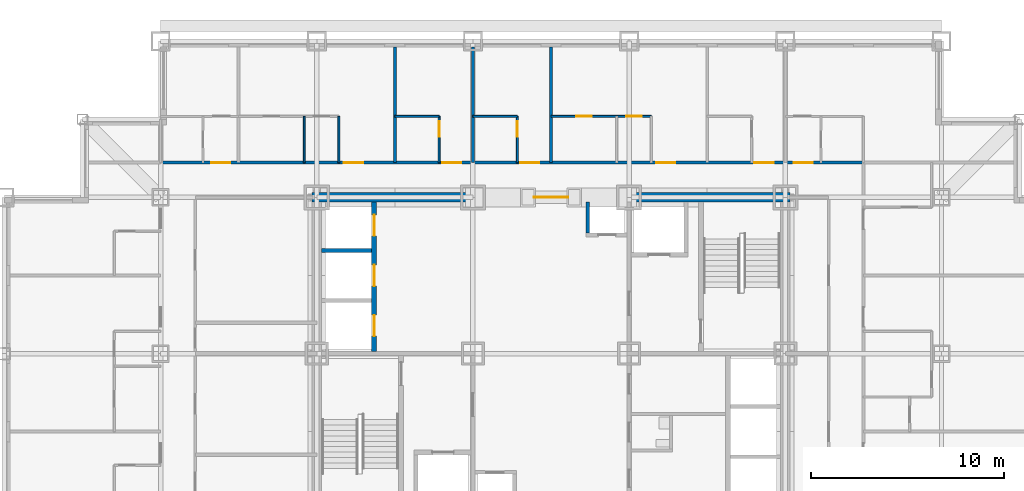
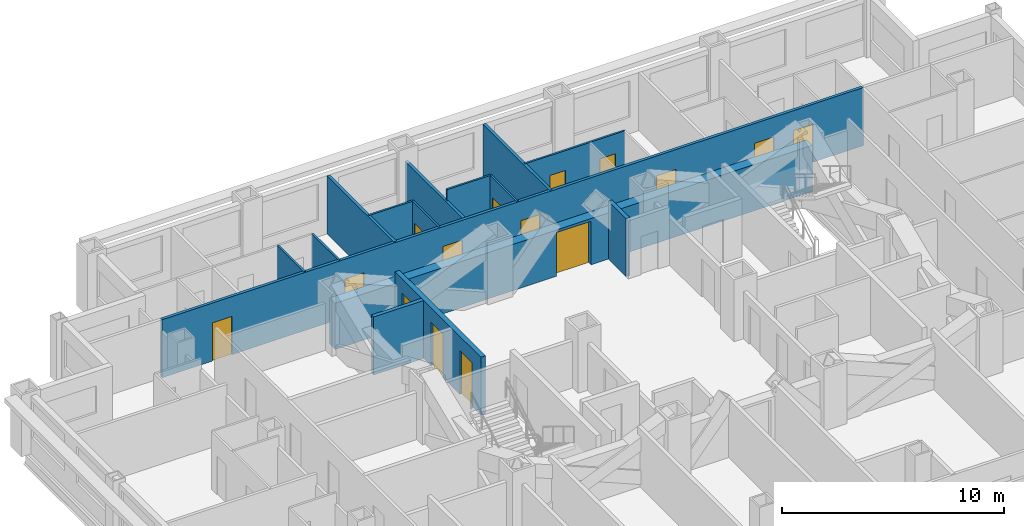
# One storey, part 9 of 13: 15 doors, 15 walls, 15 openings.
"""IFC4 building model written with IfcOpenShell, lengths in metres."""

from ifc_helpers import new_model, si_unit, direction, frame, frame_2d, origin, place, context, subcontext, project, spatial, rectangle, extrude, material, layer, layer_set, type_object, element, fill, save


model = new_model("IFC4")

# Units and contexts
model_context = context("Model", 3, precision=1e-05, world=origin(), true_north=direction((0.0, 1.0)))
body_context = subcontext(model_context, "Body", "Model", "MODEL_VIEW")
ifc_project = project(units=[si_unit("LENGTHUNIT", "METRE"), si_unit("AREAUNIT", "SQUARE_METRE"), si_unit("VOLUMEUNIT", "CUBIC_METRE"), si_unit("PLANEANGLEUNIT", "RADIAN"), si_unit("MASSUNIT", "GRAM", prefix="KILO")], contexts=[model_context])

# Site, building, storey
site_placement = place(None, origin())
site = spatial("IfcSite", under=ifc_project, at=site_placement, CompositionType="ELEMENT")
building_placement = place(site_placement, origin())
building = spatial("IfcBuilding", under=site, at=building_placement, Name="Kopane Lantern Tower", CompositionType="ELEMENT")
storey_placement = place(building_placement, frame((0.0, 0.0, 63.60009765625)))
storey = spatial("IfcBuildingStorey", under=building, at=storey_placement, Name="L15", CompositionType="ELEMENT", Elevation=63.60009765625)

# Walls
ifc_material_1 = material(Name="Moisture-resistant board on steel studs", Category="steel")
ifc_layer_1 = layer(ifc_material_1, 0.10009765625)
ifc_layer_set_1 = layer_set([ifc_layer_1], Name="BATHROOM WALL 100")
wall_type_1 = type_object("IfcWallType", Name="BATHROOM WALL 100", PredefinedType="PARTITIONING", material=ifc_layer_set_1)
for number, where, z_axis, x_axis, name in (
    (1, (15.550048828125, 42.300048828125, 0.0), (0.0, 0.0, 1.0), (0.0, 1.0, 0.0), "Bathroom Wall 100 L15"),
    (2, (17.35009765625, 42.300048828125, 0.0), (0.0, 0.0, 1.0), (0.0, 1.0, 0.0), "Bathroom Wall 100 L15"),
):
    element("IfcWall", number, at=place(storey_placement, frame(where, z_axis=z_axis, x_axis=x_axis)), inside=storey, type_object=wall_type_1, Name=name, PredefinedType="PARTITIONING", context=body_context, shape_type="SweptSolid", body=[
        extrude(rectangle(XDim=2.39990234375, YDim=0.10009765625, at=frame_2d((1.199951171875, 0.0))), origin(), (0.0, 0.0, 1.0), 3.18994140625),
    ])
wall_1_placement = place(storey_placement, frame((20.25, 44.699951171875, 0.0), z_axis=(0.0, 0.0, 1.0), x_axis=(1.0, 0.0, 0.0)))
element("IfcWall", 3, at=wall_1_placement, inside=storey, type_object=wall_type_1, Name="Bathroom Wall 100 L15", PredefinedType="PARTITIONING", context=body_context, shape_type="SweptSolid", body=[
    extrude(rectangle(XDim=2.300048828125, YDim=0.10009765625, at=frame_2d((1.14990234375, 0.0))), origin(), (0.0, 0.0, 1.0), 3.18994140625),
])

# Wall, opening, door
wall_2_placement = place(storey_placement, frame((22.550048828125, 42.300048828125, 0.0), z_axis=(0.0, 0.0, 1.0), x_axis=(0.0, 1.0, 0.0)))
wall_2 = element("IfcWall", 4, at=wall_2_placement, inside=storey, type_object=wall_type_1, Name="Bathroom Wall 100 L15", PredefinedType="PARTITIONING", context=body_context, shape_type="SweptSolid", body=[
    extrude(rectangle(XDim=2.39990234375, YDim=0.10009765625, at=frame_2d((1.199951171875, 0.0))), origin(), (0.0, 0.0, 1.0), 3.18994140625),
])
opening_1_placement = place(wall_2_placement, frame((1.35009765625, 0.0, 0.0)))
opening_1 = element("IfcOpeningElement", 5, at=opening_1_placement, cuts=wall_2, Name="Opening L15-032", PredefinedType="OPENING", context=body_context, shape_type="SweptSolid", body=[
    extrude(rectangle(XDim=0.800048828125, YDim=2.10009765625, at=frame_2d((0.39990234375, 1.050048828125))), frame((0.0, 0.06005859375, 0.0), z_axis=(0.0, -1.0, 0.0), x_axis=(1.0, 0.0, 0.0)), (0.0, 0.0, 1.0), 0.1201171875),
])
ifc_material_2 = material(Name="Timber door set", Category="wood")
door_type_1 = type_object("IfcDoorType", Name="DOOR D2 800x2100", OperationType="SINGLE_SWING_LEFT", PredefinedType="DOOR", material=ifc_material_2)
door_1_placement = place(opening_1_placement, origin())
door_1 = element("IfcDoor", 6, at=door_1_placement, inside=storey, type_object=door_type_1, Name="Door L15-032", OperationType="SINGLE_SWING_RIGHT", OverallHeight=2.10009765625, OverallWidth=0.800048828125, PredefinedType="DOOR", context=body_context, shape_type="SweptSolid", body=[
    extrude(rectangle(XDim=0.800048828125, YDim=2.10009765625, at=frame_2d((0.39990234375, 1.050048828125))), frame((0.0, 0.02490234375, 0.0), z_axis=(0.0, -1.0, 0.0), x_axis=(1.0, 0.0, 0.0)), (0.0, 0.0, 1.0), 0.050048828125),
])
fill(opening_1, door_1)

# Wall
wall_3_placement = place(storey_placement, frame((24.300048828125, 44.699951171875, 0.0), z_axis=(0.0, 0.0, 1.0), x_axis=(1.0, 0.0, 0.0)))
element("IfcWall", 7, at=wall_3_placement, inside=storey, type_object=wall_type_1, Name="Bathroom Wall 100 L15", PredefinedType="PARTITIONING", context=body_context, shape_type="SweptSolid", body=[
    extrude(rectangle(XDim=2.300048828125, YDim=0.10009765625, at=frame_2d((1.14990234375, 0.0))), origin(), (0.0, 0.0, 1.0), 3.18994140625),
])

# Wall, opening, door
wall_4_placement = place(storey_placement, frame((26.60009765625, 42.300048828125, 0.0), z_axis=(0.0, 0.0, 1.0), x_axis=(0.0, 1.0, 0.0)))
wall_4 = element("IfcWall", 8, at=wall_4_placement, inside=storey, type_object=wall_type_1, Name="Bathroom Wall 100 L15", PredefinedType="PARTITIONING", context=body_context, shape_type="SweptSolid", body=[
    extrude(rectangle(XDim=2.39990234375, YDim=0.10009765625, at=frame_2d((1.199951171875, 0.0))), origin(), (0.0, 0.0, 1.0), 3.18994140625),
])
opening_2_placement = place(wall_4_placement, frame((1.35009765625, 0.0, 0.0)))
opening_2 = element("IfcOpeningElement", 9, at=opening_2_placement, cuts=wall_4, Name="Opening L15-034", PredefinedType="OPENING", context=body_context, shape_type="SweptSolid", body=[
    extrude(rectangle(XDim=0.800048828125, YDim=2.10009765625, at=frame_2d((0.39990234375, 1.050048828125))), frame((0.0, 0.06005859375, 0.0), z_axis=(0.0, -1.0, 0.0), x_axis=(1.0, 0.0, 0.0)), (0.0, 0.0, 1.0), 0.1201171875),
])
door_2_placement = place(opening_2_placement, origin())
door_2 = element("IfcDoor", 10, at=door_2_placement, inside=storey, type_object=door_type_1, Name="Door L15-034", OperationType="SINGLE_SWING_RIGHT", OverallHeight=2.10009765625, OverallWidth=0.800048828125, PredefinedType="DOOR", context=body_context, shape_type="SweptSolid", body=[
    extrude(rectangle(XDim=0.800048828125, YDim=2.10009765625, at=frame_2d((0.39990234375, 1.050048828125))), frame((0.0, 0.02490234375, 0.0), z_axis=(0.0, -1.0, 0.0), x_axis=(1.0, 0.0, 0.0)), (0.0, 0.0, 1.0), 0.050048828125),
])
fill(opening_2, door_2)

# Wall, openings, doors
wall_5_placement = place(storey_placement, frame((28.35009765625, 44.699951171875, 0.0), z_axis=(0.0, 0.0, 1.0), x_axis=(1.0, 0.0, 0.0)))
wall_5 = element("IfcWall", 11, at=wall_5_placement, inside=storey, type_object=wall_type_1, Name="Bathroom Wall 100 L15", PredefinedType="PARTITIONING", context=body_context, shape_type="SweptSolid", body=[
    extrude(rectangle(XDim=5.199951171875, YDim=0.10009765625, at=frame_2d((2.60009765625, 0.0))), origin(), (0.0, 0.0, 1.0), 3.18994140625),
])
opening_3_placement = place(wall_5_placement, frame((1.300048828125, 0.0, 0.0)))
opening_3 = element("IfcOpeningElement", 12, at=opening_3_placement, cuts=wall_5, Name="Opening L15-036", PredefinedType="OPENING", context=body_context, shape_type="SweptSolid", body=[
    extrude(rectangle(XDim=0.800048828125, YDim=2.10009765625, at=frame_2d((0.39990234375, 1.050048828125))), frame((0.0, 0.06005859375, 0.0), z_axis=(0.0, -1.0, 0.0), x_axis=(1.0, 0.0, 0.0)), (0.0, 0.0, 1.0), 0.1201171875),
])
opening_4_placement = place(wall_5_placement, frame((3.89990234375, 0.0, 0.0)))
opening_4 = element("IfcOpeningElement", 13, at=opening_4_placement, cuts=wall_5, Name="Opening L15-037", PredefinedType="OPENING", context=body_context, shape_type="SweptSolid", body=[
    extrude(rectangle(XDim=0.800048828125, YDim=2.10009765625, at=frame_2d((0.39990234375, 1.050048828125))), frame((0.0, 0.06005859375, 0.0), z_axis=(0.0, -1.0, 0.0), x_axis=(1.0, 0.0, 0.0)), (0.0, 0.0, 1.0), 0.1201171875),
])
door_3_placement = place(opening_3_placement, origin())
door_3 = element("IfcDoor", 14, at=door_3_placement, inside=storey, type_object=door_type_1, Name="Door L15-036", OperationType="SINGLE_SWING_LEFT", OverallHeight=2.10009765625, OverallWidth=0.800048828125, PredefinedType="DOOR", context=body_context, shape_type="SweptSolid", body=[
    extrude(rectangle(XDim=0.800048828125, YDim=2.10009765625, at=frame_2d((0.39990234375, 1.050048828125))), frame((0.0, 0.02490234375, 0.0), z_axis=(0.0, -1.0, 0.0), x_axis=(1.0, 0.0, 0.0)), (0.0, 0.0, 1.0), 0.050048828125),
])
fill(opening_3, door_3)
door_4_placement = place(opening_4_placement, origin())
door_4 = element("IfcDoor", 15, at=door_4_placement, inside=storey, type_object=door_type_1, Name="Door L15-037", OperationType="SINGLE_SWING_LEFT", OverallHeight=2.10009765625, OverallWidth=0.800048828125, PredefinedType="DOOR", context=body_context, shape_type="SweptSolid", body=[
    extrude(rectangle(XDim=0.800048828125, YDim=2.10009765625, at=frame_2d((0.39990234375, 1.050048828125))), frame((0.0, 0.02490234375, 0.0), z_axis=(0.0, -1.0, 0.0), x_axis=(1.0, 0.0, 0.0)), (0.0, 0.0, 1.0), 0.050048828125),
])
fill(opening_4, door_4)

# Wall, opening, door
ifc_material_3 = material(Name="Gypsum shaft wall EI 120", Category="gypsum")
ifc_layer_2 = layer(ifc_material_3, 0.5)
ifc_layer_set_2 = layer_set([ifc_layer_2], Name="CORE PERIMETER WALL 500 EI 120")
wall_type_2 = type_object("IfcWallType", Name="CORE PERIMETER WALL 500 EI 120", PredefinedType="SOLIDWALL", material=ifc_layer_set_2)
wall_6_placement = place(storey_placement, frame((15.949951171875, 40.5, 0.0), z_axis=(0.0, 0.0, 1.0), x_axis=(1.0, 0.0, 0.0)))
wall_6 = element("IfcWall", 16, at=wall_6_placement, inside=storey, type_object=wall_type_2, Name="Core shaft wall L15 PN", PredefinedType="SOLIDWALL", context=body_context, shape_type="SweptSolid", body=[
    extrude(rectangle(XDim=24.800048828125, YDim=0.5, at=frame_2d((12.39990234375, 0.0))), origin(), (0.0, 0.0, 1.0), 2.539794921875),
])
opening_5_placement = place(wall_6_placement, frame((11.5, 0.0, 0.0)))
opening_5 = element("IfcOpeningElement", 17, at=opening_5_placement, cuts=wall_6, Name="Opening 15.CE-N", PredefinedType="OPENING", context=body_context, shape_type="SweptSolid", body=[
    extrude(rectangle(XDim=1.800048828125, YDim=2.39990234375, at=frame_2d((0.89990234375, 1.199951171875))), frame((0.0, 0.260009765625, 0.0), z_axis=(0.0, -1.0, 0.0), x_axis=(1.0, 0.0, 0.0)), (0.0, 0.0, 1.0), 0.52001953125),
])
ifc_material_4 = material(Name="Steel door set", Category="steel")
door_type_2 = type_object("IfcDoorType", Name="CORE ENTRY DOOR 1800x2400 FD60S", OperationType="DOUBLE_DOOR_SINGLE_SWING", PredefinedType="DOOR", material=ifc_material_4)
door_5_placement = place(opening_5_placement, origin())
door_5 = element("IfcDoor", 18, at=door_5_placement, inside=storey, type_object=door_type_2, Name="Core entry door L15 north", OperationType="DOUBLE_DOOR_SINGLE_SWING", OverallHeight=2.39990234375, OverallWidth=1.800048828125, PredefinedType="DOOR", context=body_context, shape_type="SweptSolid", body=[
    extrude(rectangle(XDim=1.800048828125, YDim=2.39990234375, at=frame_2d((0.89990234375, 1.199951171875))), frame((0.0, 0.02490234375, 0.0), z_axis=(0.0, -1.0, 0.0), x_axis=(1.0, 0.0, 0.0)), (0.0, 0.0, 1.0), 0.050048828125),
])
fill(opening_5, door_5)

# Wall, openings, doors
ifc_material_5 = material(Name="Gypsum shaft wall EI 120", Category="gypsum")
ifc_layer_3 = layer(ifc_material_5, 0.25)
ifc_layer_set_3 = layer_set([ifc_layer_3], Name="CORE SHAFT WALL 250 EI 120")
wall_type_3 = type_object("IfcWallType", Name="CORE SHAFT WALL 250 EI 120", PredefinedType="SOLIDWALL", material=ifc_layer_set_3)
wall_7_placement = place(storey_placement, frame((19.175048828125, 32.5, 0.0), z_axis=(0.0, 0.0, 1.0), x_axis=(0.0, 1.0, 0.0)))
wall_7 = element("IfcWall", 19, at=wall_7_placement, inside=storey, type_object=wall_type_3, Name="Core shaft wall L15 XLH", PredefinedType="SOLIDWALL", context=body_context, shape_type="SweptSolid", body=[
    extrude(rectangle(XDim=7.75, YDim=0.25, at=frame_2d((3.875, 0.0))), origin(), (0.0, 0.0, 1.0), 3.18994140625),
])
opening_6_placement = place(wall_7_placement, frame((0.800048828125, 0.0, 0.0)))
opening_6 = element("IfcOpeningElement", 20, at=opening_6_placement, cuts=wall_7, Name="Opening 15.LD-LH1", PredefinedType="OPENING", context=body_context, shape_type="SweptSolid", body=[
    extrude(rectangle(XDim=1.10009765625, YDim=2.39990234375, at=frame_2d((0.550048828125, 1.199951171875))), frame((0.0, 0.135009765625, 0.0), z_axis=(0.0, -1.0, 0.0), x_axis=(1.0, 0.0, 0.0)), (0.0, 0.0, 1.0), 0.27001953125),
])
opening_7_placement = place(wall_7_placement, frame((3.39990234375, 0.0, 0.0)))
opening_7 = element("IfcOpeningElement", 21, at=opening_7_placement, cuts=wall_7, Name="Opening 15.LD-LH2", PredefinedType="OPENING", context=body_context, shape_type="SweptSolid", body=[
    extrude(rectangle(XDim=1.10009765625, YDim=2.39990234375, at=frame_2d((0.550048828125, 1.199951171875))), frame((0.0, 0.135009765625, 0.0), z_axis=(0.0, -1.0, 0.0), x_axis=(1.0, 0.0, 0.0)), (0.0, 0.0, 1.0), 0.27001953125),
])
opening_8_placement = place(wall_7_placement, frame((6.0, 0.0, 0.0)))
opening_8 = element("IfcOpeningElement", 22, at=opening_8_placement, cuts=wall_7, Name="Opening 15.LD-LH3", PredefinedType="OPENING", context=body_context, shape_type="SweptSolid", body=[
    extrude(rectangle(XDim=1.10009765625, YDim=2.39990234375, at=frame_2d((0.550048828125, 1.199951171875))), frame((0.0, 0.135009765625, 0.0), z_axis=(0.0, -1.0, 0.0), x_axis=(1.0, 0.0, 0.0)), (0.0, 0.0, 1.0), 0.27001953125),
])
ifc_material_6 = material(Name="Steel door set", Category="steel")
door_type_3 = type_object("IfcDoorType", Name="LIFT LANDING DOOR 1100x2400 FD60", OperationType="DOUBLE_DOOR_SLIDING", PredefinedType="DOOR", material=ifc_material_6)
door_6_placement = place(opening_6_placement, origin())
door_6 = element("IfcDoor", 23, at=door_6_placement, inside=storey, type_object=door_type_3, Name="Landing door LH1 L15", OperationType="DOUBLE_DOOR_SLIDING", OverallHeight=2.39990234375, OverallWidth=1.10009765625, PredefinedType="DOOR", context=body_context, shape_type="SweptSolid", body=[
    extrude(rectangle(XDim=1.10009765625, YDim=2.39990234375, at=frame_2d((0.550048828125, 1.199951171875))), frame((0.0, 0.02490234375, 0.0), z_axis=(0.0, -1.0, 0.0), x_axis=(1.0, 0.0, 0.0)), (0.0, 0.0, 1.0), 0.050048828125),
])
fill(opening_6, door_6)
door_7_placement = place(opening_7_placement, origin())
door_7 = element("IfcDoor", 24, at=door_7_placement, inside=storey, type_object=door_type_3, Name="Landing door LH2 L15", OperationType="DOUBLE_DOOR_SLIDING", OverallHeight=2.39990234375, OverallWidth=1.10009765625, PredefinedType="DOOR", context=body_context, shape_type="SweptSolid", body=[
    extrude(rectangle(XDim=1.10009765625, YDim=2.39990234375, at=frame_2d((0.550048828125, 1.199951171875))), frame((0.0, 0.02490234375, 0.0), z_axis=(0.0, -1.0, 0.0), x_axis=(1.0, 0.0, 0.0)), (0.0, 0.0, 1.0), 0.050048828125),
])
fill(opening_7, door_7)
door_8_placement = place(opening_8_placement, origin())
door_8 = element("IfcDoor", 25, at=door_8_placement, inside=storey, type_object=door_type_3, Name="Landing door LH3 L15", OperationType="DOUBLE_DOOR_SLIDING", OverallHeight=2.39990234375, OverallWidth=1.10009765625, PredefinedType="DOOR", context=body_context, shape_type="SweptSolid", body=[
    extrude(rectangle(XDim=1.10009765625, YDim=2.39990234375, at=frame_2d((0.550048828125, 1.199951171875))), frame((0.0, 0.02490234375, 0.0), z_axis=(0.0, -1.0, 0.0), x_axis=(1.0, 0.0, 0.0)), (0.0, 0.0, 1.0), 0.050048828125),
])
fill(opening_8, door_8)

ifc_material_7 = material(Name="Gypsum board on steel studs", Category="steel")
ifc_layer_4 = layer(ifc_material_7, 0.14990234375)
ifc_layer_set_4 = layer_set([ifc_layer_4], Name="CORRIDOR WALL 150 EI 60")
wall_type_4 = type_object("IfcWallType", Name="CORRIDOR WALL 150 EI 60", PredefinedType="PARTITIONING", material=ifc_layer_set_4)
wall_8_placement = place(storey_placement, frame((8.10009765625, 42.300048828125, 0.0), z_axis=(0.0, 0.0, 1.0), x_axis=(1.0, 0.0, 0.0)))
wall_8 = element("IfcWall", 26, at=wall_8_placement, inside=storey, type_object=wall_type_4, Name="Corridor Wall 150 Ei 60 L15", PredefinedType="PARTITIONING", context=body_context, shape_type="SweptSolid", body=[
    extrude(rectangle(XDim=36.449951171875, YDim=0.14990234375, at=frame_2d((18.22509765625, 0.0))), origin(), (0.0, 0.0, 1.0), 3.18994140625),
])
opening_9_placement = place(wall_8_placement, frame((9.5, 0.0, 0.0)))
opening_9 = element("IfcOpeningElement", 27, at=opening_9_placement, cuts=wall_8, Name="Opening L15-031", PredefinedType="OPENING", context=body_context, shape_type="SweptSolid", body=[
    extrude(rectangle(XDim=1.0, YDim=2.10009765625, at=frame_2d((0.5, 1.050048828125))), frame((0.0, 0.0849609375, 0.0), z_axis=(0.0, -1.0, 0.0), x_axis=(1.0, 0.0, 0.0)), (0.0, 0.0, 1.0), 0.169921875),
])
opening_10_placement = place(wall_8_placement, frame((14.60009765625, 0.0, 0.0)))
opening_10 = element("IfcOpeningElement", 28, at=opening_10_placement, cuts=wall_8, Name="Opening L15-033", PredefinedType="OPENING", context=body_context, shape_type="SweptSolid", body=[
    extrude(rectangle(XDim=1.0, YDim=2.10009765625, at=frame_2d((0.5, 1.050048828125))), frame((0.0, 0.0849609375, 0.0), z_axis=(0.0, -1.0, 0.0), x_axis=(1.0, 0.0, 0.0)), (0.0, 0.0, 1.0), 0.169921875),
])
opening_11_placement = place(wall_8_placement, frame((18.64990234375, 0.0, 0.0)))
opening_11 = element("IfcOpeningElement", 29, at=opening_11_placement, cuts=wall_8, Name="Opening L15-035", PredefinedType="OPENING", context=body_context, shape_type="SweptSolid", body=[
    extrude(rectangle(XDim=1.0, YDim=2.10009765625, at=frame_2d((0.5, 1.050048828125))), frame((0.0, 0.0849609375, 0.0), z_axis=(0.0, -1.0, 0.0), x_axis=(1.0, 0.0, 0.0)), (0.0, 0.0, 1.0), 0.169921875),
])
opening_12_placement = place(wall_8_placement, frame((25.699951171875, 0.0, 0.0)))
opening_12 = element("IfcOpeningElement", 30, at=opening_12_placement, cuts=wall_8, Name="Opening L15-038", PredefinedType="OPENING", context=body_context, shape_type="SweptSolid", body=[
    extrude(rectangle(XDim=1.0, YDim=2.10009765625, at=frame_2d((0.5, 1.050048828125))), frame((0.0, 0.0849609375, 0.0), z_axis=(0.0, -1.0, 0.0), x_axis=(1.0, 0.0, 0.0)), (0.0, 0.0, 1.0), 0.169921875),
])
opening_13_placement = place(wall_8_placement, frame((30.800048828125, 0.0, 0.0)))
opening_13 = element("IfcOpeningElement", 31, at=opening_13_placement, cuts=wall_8, Name="Opening L15-040", PredefinedType="OPENING", context=body_context, shape_type="SweptSolid", body=[
    extrude(rectangle(XDim=1.0, YDim=2.10009765625, at=frame_2d((0.5, 1.050048828125))), frame((0.0, 0.0849609375, 0.0), z_axis=(0.0, -1.0, 0.0), x_axis=(1.0, 0.0, 0.0)), (0.0, 0.0, 1.0), 0.169921875),
])
opening_14_placement = place(wall_8_placement, frame((32.824951171875, 0.0, 0.0)))
opening_14 = element("IfcOpeningElement", 32, at=opening_14_placement, cuts=wall_8, Name="Opening L15-078", PredefinedType="OPENING", context=body_context, shape_type="SweptSolid", body=[
    extrude(rectangle(XDim=1.0, YDim=2.10009765625, at=frame_2d((0.5, 1.050048828125))), frame((0.0, 0.0849609375, 0.0), z_axis=(0.0, -1.0, 0.0), x_axis=(1.0, 0.0, 0.0)), (0.0, 0.0, 1.0), 0.169921875),
])
opening_15_placement = place(wall_8_placement, frame((2.625, 0.0, 0.0)))
opening_15 = element("IfcOpeningElement", 33, at=opening_15_placement, cuts=wall_8, Name="Opening L15-081", PredefinedType="OPENING", context=body_context, shape_type="SweptSolid", body=[
    extrude(rectangle(XDim=1.0, YDim=2.10009765625, at=frame_2d((0.5, 1.050048828125))), frame((0.0, 0.0849609375, 0.0), z_axis=(0.0, -1.0, 0.0), x_axis=(1.0, 0.0, 0.0)), (0.0, 0.0, 1.0), 0.169921875),
])
ifc_material_8 = material(Name="Steel door set", Category="steel")
door_type_4 = type_object("IfcDoorType", Name="DOOR D1 1000x2100 FD30S", OperationType="SINGLE_SWING_LEFT", PredefinedType="DOOR", material=ifc_material_8)
door_9_placement = place(opening_9_placement, origin())
door_9 = element("IfcDoor", 34, at=door_9_placement, inside=storey, type_object=door_type_4, Name="Door L15-031", OperationType="SINGLE_SWING_LEFT", OverallHeight=2.10009765625, OverallWidth=1.0, PredefinedType="DOOR", context=body_context, shape_type="SweptSolid", body=[
    extrude(rectangle(XDim=1.0, YDim=2.10009765625, at=frame_2d((0.5, 1.050048828125))), frame((0.0, 0.02490234375, 0.0), z_axis=(0.0, -1.0, 0.0), x_axis=(1.0, 0.0, 0.0)), (0.0, 0.0, 1.0), 0.050048828125),
])
fill(opening_9, door_9)
door_10_placement = place(opening_10_placement, origin())
door_10 = element("IfcDoor", 35, at=door_10_placement, inside=storey, type_object=door_type_4, Name="Door L15-033", OperationType="SINGLE_SWING_LEFT", OverallHeight=2.10009765625, OverallWidth=1.0, PredefinedType="DOOR", context=body_context, shape_type="SweptSolid", body=[
    extrude(rectangle(XDim=1.0, YDim=2.10009765625, at=frame_2d((0.5, 1.050048828125))), frame((0.0, 0.02490234375, 0.0), z_axis=(0.0, -1.0, 0.0), x_axis=(1.0, 0.0, 0.0)), (0.0, 0.0, 1.0), 0.050048828125),
])
fill(opening_10, door_10)
door_11_placement = place(opening_11_placement, origin())
door_11 = element("IfcDoor", 36, at=door_11_placement, inside=storey, type_object=door_type_4, Name="Door L15-035", OperationType="SINGLE_SWING_LEFT", OverallHeight=2.10009765625, OverallWidth=1.0, PredefinedType="DOOR", context=body_context, shape_type="SweptSolid", body=[
    extrude(rectangle(XDim=1.0, YDim=2.10009765625, at=frame_2d((0.5, 1.050048828125))), frame((0.0, 0.02490234375, 0.0), z_axis=(0.0, -1.0, 0.0), x_axis=(1.0, 0.0, 0.0)), (0.0, 0.0, 1.0), 0.050048828125),
])
fill(opening_11, door_11)
door_12_placement = place(opening_12_placement, origin())
door_12 = element("IfcDoor", 37, at=door_12_placement, inside=storey, type_object=door_type_4, Name="Door L15-038", OperationType="SINGLE_SWING_LEFT", OverallHeight=2.10009765625, OverallWidth=1.0, PredefinedType="DOOR", context=body_context, shape_type="SweptSolid", body=[
    extrude(rectangle(XDim=1.0, YDim=2.10009765625, at=frame_2d((0.5, 1.050048828125))), frame((0.0, 0.02490234375, 0.0), z_axis=(0.0, -1.0, 0.0), x_axis=(1.0, 0.0, 0.0)), (0.0, 0.0, 1.0), 0.050048828125),
])
fill(opening_12, door_12)
door_13_placement = place(opening_13_placement, origin())
door_13 = element("IfcDoor", 38, at=door_13_placement, inside=storey, type_object=door_type_4, Name="Door L15-040", OperationType="SINGLE_SWING_LEFT", OverallHeight=2.10009765625, OverallWidth=1.0, PredefinedType="DOOR", context=body_context, shape_type="SweptSolid", body=[
    extrude(rectangle(XDim=1.0, YDim=2.10009765625, at=frame_2d((0.5, 1.050048828125))), frame((0.0, 0.02490234375, 0.0), z_axis=(0.0, -1.0, 0.0), x_axis=(1.0, 0.0, 0.0)), (0.0, 0.0, 1.0), 0.050048828125),
])
fill(opening_13, door_13)
door_14_placement = place(opening_14_placement, origin())
door_14 = element("IfcDoor", 39, at=door_14_placement, inside=storey, type_object=door_type_4, Name="Door L15-078", OperationType="SINGLE_SWING_LEFT", OverallHeight=2.10009765625, OverallWidth=1.0, PredefinedType="DOOR", context=body_context, shape_type="SweptSolid", body=[
    extrude(rectangle(XDim=1.0, YDim=2.10009765625, at=frame_2d((0.5, 1.050048828125))), frame((0.0, 0.02490234375, 0.0), z_axis=(0.0, -1.0, 0.0), x_axis=(1.0, 0.0, 0.0)), (0.0, 0.0, 1.0), 0.050048828125),
])
fill(opening_14, door_14)
door_15_placement = place(opening_15_placement, origin())
door_15 = element("IfcDoor", 40, at=door_15_placement, inside=storey, type_object=door_type_4, Name="Door L15-081", OperationType="SINGLE_SWING_LEFT", OverallHeight=2.10009765625, OverallWidth=1.0, PredefinedType="DOOR", context=body_context, shape_type="SweptSolid", body=[
    extrude(rectangle(XDim=1.0, YDim=2.10009765625, at=frame_2d((0.5, 1.050048828125))), frame((0.0, 0.02490234375, 0.0), z_axis=(0.0, -1.0, 0.0), x_axis=(1.0, 0.0, 0.0)), (0.0, 0.0, 1.0), 0.050048828125),
])
fill(opening_15, door_15)

# Walls
ifc_material_9 = material(Name="Gypsum board on steel studs", Category="steel")
ifc_layer_5 = layer(ifc_material_9, 0.14990234375)
ifc_layer_set_5 = layer_set([ifc_layer_5], Name="DEMISING WALL 150 EI 60")
wall_type_5 = type_object("IfcWallType", Name="DEMISING WALL 150 EI 60", PredefinedType="PARTITIONING", material=ifc_layer_set_5)
wall_9_placement = place(storey_placement, frame((20.25, 42.300048828125, 0.0), z_axis=(0.0, 0.0, 1.0), x_axis=(0.0, 1.0, 0.0)))
element("IfcWall", 41, at=wall_9_placement, inside=storey, type_object=wall_type_5, Name="Demising Wall 150 Ei 60 L15", PredefinedType="PARTITIONING", context=body_context, shape_type="SweptSolid", body=[
    extrude(rectangle(XDim=6.0, YDim=0.14990234375, at=frame_2d((3.0, 0.0))), origin(), (0.0, 0.0, 1.0), 3.18994140625),
])
wall_10_placement = place(storey_placement, frame((24.300048828125, 42.300048828125, 0.0), z_axis=(0.0, 0.0, 1.0), x_axis=(0.0, 1.0, 0.0)))
element("IfcWall", 42, at=wall_10_placement, inside=storey, type_object=wall_type_5, Name="Demising Wall 150 Ei 60 L15", PredefinedType="PARTITIONING", context=body_context, shape_type="SweptSolid", body=[
    extrude(rectangle(XDim=6.0, YDim=0.14990234375, at=frame_2d((3.0, 0.0))), origin(), (0.0, 0.0, 1.0), 2.57763671875),
])
wall_11_placement = place(storey_placement, frame((28.35009765625, 42.300048828125, 0.0), z_axis=(0.0, 0.0, 1.0), x_axis=(0.0, 1.0, 0.0)))
element("IfcWall", 43, at=wall_11_placement, inside=storey, type_object=wall_type_5, Name="Demising Wall 150 Ei 60 L15", PredefinedType="PARTITIONING", context=body_context, shape_type="SweptSolid", body=[
    extrude(rectangle(XDim=6.0, YDim=0.14990234375, at=frame_2d((3.0, 0.0))), origin(), (0.0, 0.0, 1.0), 3.18994140625),
])
ifc_material_10 = material(Name="Gypsum shaft wall EI 120", Category="gypsum")
ifc_layer_6 = layer(ifc_material_10, 0.199951171875)
ifc_layer_set_6 = layer_set([ifc_layer_6], Name="SHAFT WALL 200 EI 120")
wall_type_6 = type_object("IfcWallType", Name="SHAFT WALL 200 EI 120", PredefinedType="SOLIDWALL", material=ifc_layer_set_6)
wall_12_placement = place(storey_placement, frame((16.449951171875, 37.75, 0.0), z_axis=(0.0, 0.0, 1.0), x_axis=(1.0, 0.0, 0.0)))
element("IfcWall", 44, at=wall_12_placement, inside=storey, type_object=wall_type_6, Name="Core shaft wall L15 YLH23", PredefinedType="SOLIDWALL", context=body_context, shape_type="SweptSolid", body=[
    extrude(rectangle(XDim=2.60009765625, YDim=0.199951171875, at=frame_2d((1.300048828125, 0.0))), origin(), (0.0, 0.0, 1.0), 3.18994140625),
])
wall_13_placement = place(storey_placement, frame((30.25, 38.64990234375, 0.0), z_axis=(0.0, 0.0, 1.0), x_axis=(0.0, 1.0, 0.0)))
element("IfcWall", 45, at=wall_13_placement, inside=storey, type_object=wall_type_6, Name="Core shaft wall L15 XRS2", PredefinedType="SOLIDWALL", context=body_context, shape_type="SweptSolid", body=[
    extrude(rectangle(XDim=1.60009765625, YDim=0.199951171875, at=frame_2d((0.800048828125, 0.0))), origin(), (0.0, 0.0, 1.0), 3.18994140625),
])

save(model, "model.ifc")
